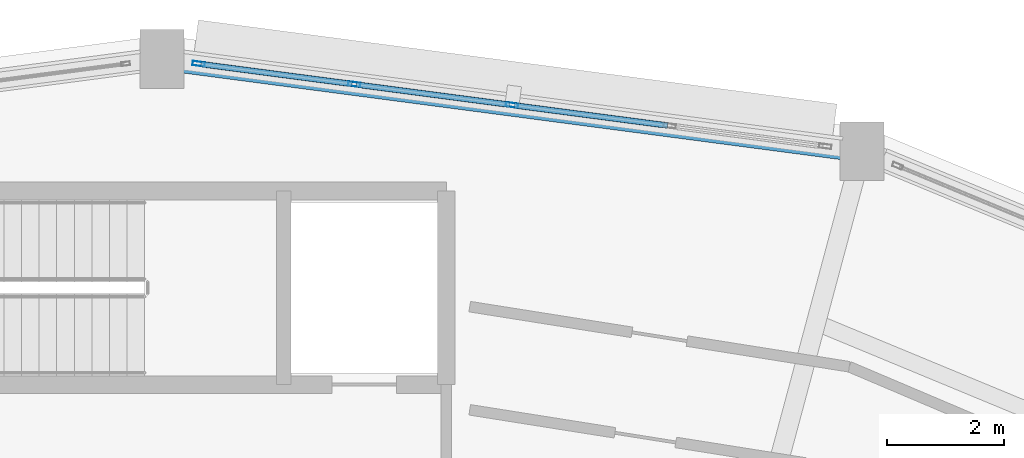
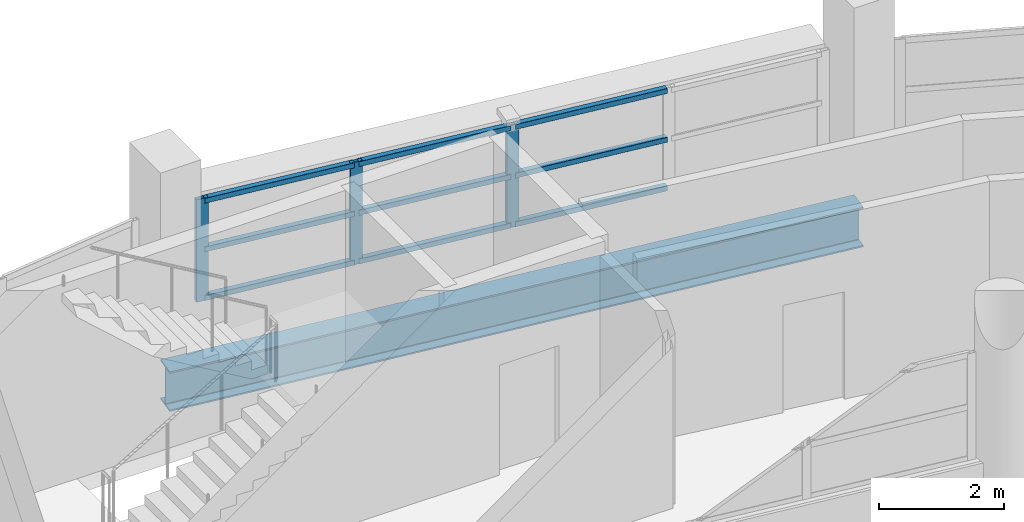
# One storey, part 53 of 88: 12 members, 1 beam, 1 element without a shape of its own.
"""IFC4 building model written with IfcOpenShell, lengths in metres."""

import ifcopenshell
import ifcopenshell.guid

model = None  # the IFC model being written
_history = None  # IfcOwnerHistory: only IFC2X3 demands one
_inside = {}  # id of a spatial element -> (the spatial element, [elements in it])
_under = {}  # id of a project, library or spatial element -> (it, [spatial elements below it])
_declared = {}  # id of a project -> (the project, [libraries it declares])
_typed = {}  # id of a type object -> (the type object, [elements of that type])
_made_of = {}  # id of a material, layer set ... -> (it, [elements and type objects made of it])


def new_model(schema):
    """Start an empty IFC model of exactly this schema.

    Asked for "IFC4X3", IfcOpenShell would pick the latest addendum, in which some entities
    have other attributes; the version numbers below select the first issue.
    IFC2X3 requires an IfcOwnerHistory on every rooted entity: one is made here for all.
    """
    global model, _history
    if schema == "IFC4X3":
        model = ifcopenshell.file(schema_version=(4, 3, 0, 0))
    else:
        model = ifcopenshell.file(schema=schema)
    _inside.clear()
    _under.clear()
    _declared.clear()
    _typed.clear()
    _made_of.clear()
    _history = None
    if model.schema == "IFC2X3":
        org = make("IfcOrganization", Name="unknown")
        user = make(
            "IfcPersonAndOrganization",
            ThePerson=make("IfcPerson", FamilyName="unknown"),
            TheOrganization=org,
        )
        app = make(
            "IfcApplication",
            ApplicationDeveloper=org,
            Version="unknown",
            ApplicationFullName="unknown",
            ApplicationIdentifier="unknown",
        )
        _history = make(
            "IfcOwnerHistory",
            OwningUser=user,
            OwningApplication=app,
            ChangeAction="ADDED",
            CreationDate=0,
        )
    return model


def make(cls, **values):
    """One entity of the class cls with the attributes given. An attribute that is None is left unset."""
    return model.create_entity(
        cls, **{name: value for name, value in values.items() if value is not None}
    )


def rooted(cls, **values):
    """An entity with a GlobalId (a new one), such as an element, a storey or a relation."""
    return make(cls, GlobalId=ifcopenshell.guid.new(), OwnerHistory=_history, **values)


def si_unit(unit_type, name, prefix=None):
    """IfcSIUnit, for example si_unit("LENGTHUNIT", "METRE", prefix="MILLI")."""
    return make("IfcSIUnit", UnitType=unit_type, Prefix=prefix, Name=name)


def assignment(units):
    """IfcUnitAssignment: the units of a project."""
    return None if units is None else make("IfcUnitAssignment", Units=units)


def point(xyz):
    """IfcCartesianPoint."""
    return None if xyz is None else make("IfcCartesianPoint", Coordinates=xyz)


def direction(xyz):
    """IfcDirection."""
    return None if xyz is None else make("IfcDirection", DirectionRatios=xyz)


def frame(location, z_axis=None, x_axis=None):
    """IfcAxis2Placement3D, a coordinate frame: its origin and axes. An axis left out is left unset."""
    return make(
        "IfcAxis2Placement3D",
        Location=point(location),
        Axis=direction(z_axis),
        RefDirection=direction(x_axis),
    )


def frame_2d(location, x_axis=None):
    """IfcAxis2Placement2D, a coordinate frame in the plane: its origin and x axis."""
    return make(
        "IfcAxis2Placement2D", Location=point(location), RefDirection=direction(x_axis)
    )


def origin():
    """The frame at (0, 0, 0) with its axes left unset."""
    return frame((0.0, 0.0, 0.0))


def origin_2d():
    """The frame at (0, 0) in the plane with its x axis left unset."""
    return frame_2d((0.0, 0.0))


def place(relative_to, where):
    """IfcLocalPlacement: puts the frame where relative to a parent placement (None: the world)."""
    return make(
        "IfcLocalPlacement", PlacementRelTo=relative_to, RelativePlacement=where
    )


def context(
    kind, dimensions, precision=None, world=None, true_north=None, identifier=None
):
    """IfcGeometricRepresentationContext, for example the 3D "Model" context."""
    return make(
        "IfcGeometricRepresentationContext",
        ContextIdentifier=identifier,
        ContextType=kind,
        CoordinateSpaceDimension=dimensions,
        Precision=precision,
        WorldCoordinateSystem=world,
        TrueNorth=true_north,
    )


def subcontext(parent, identifier, kind, view, scale=None):
    """IfcGeometricRepresentationSubContext, for example "Body" below "Model"."""
    return make(
        "IfcGeometricRepresentationSubContext",
        ContextIdentifier=identifier,
        ContextType=kind,
        ParentContext=parent,
        TargetScale=scale,
        TargetView=view,
    )


def project(units=None, contexts=None):
    """IfcProject with its units and contexts."""
    return rooted(
        "IfcProject",
        Name="project",
        RepresentationContexts=contexts,
        UnitsInContext=assignment(units),
    )


def spatial(cls, under=None, at=None, **own):
    """A site, building, storey or space (cls), placed at a placement, below another one or the project."""
    s = rooted(cls, ObjectPlacement=at, **own)
    if under is not None:
        _under.setdefault(under.id(), (under, []))[1].append(s)
    return s


def profile(cls, at=None, kind="AREA", **sizes):
    """A parametric profile (cls). Its sizes go by their IFC names, for example OverallWidth=200.0."""
    return make(cls, ProfileType=kind, Position=at, **sizes)


def hollow_rectangle(**sizes):
    """IfcRectangleHollowProfileDef."""
    return profile("IfcRectangleHollowProfileDef", **sizes)


def i_section(**sizes):
    """IfcIShapeProfileDef."""
    return profile("IfcIShapeProfileDef", **sizes)


def extrude(swept, where, along, depth):
    """IfcExtrudedAreaSolid: the profile swept, set in the frame where, extruded along a direction by depth."""
    return make(
        "IfcExtrudedAreaSolid",
        SweptArea=swept,
        Position=where,
        ExtrudedDirection=direction(along),
        Depth=depth,
    )


def shape(context_of_items, identifier, shape_type, items):
    """IfcShapeRepresentation: the items that make up one representation, for example the "Body"."""
    return make(
        "IfcShapeRepresentation",
        ContextOfItems=context_of_items,
        RepresentationIdentifier=identifier,
        RepresentationType=shape_type,
        Items=items,
    )


def material(Name=None, Category=None):
    """IfcMaterial."""
    return make("IfcMaterial", Name=Name, Category=Category)


def layer(
    of_material, thickness, ventilated=None, Name=None, Category=None, Priority=None
):
    """IfcMaterialLayer: one layer of a wall or slab, of a material (None: an air gap)."""
    return make(
        "IfcMaterialLayer",
        Material=of_material,
        LayerThickness=thickness,
        IsVentilated=ventilated,
        Name=Name,
        Category=Category,
        Priority=Priority,
    )


def layer_set(layers, Name=None):
    """IfcMaterialLayerSet."""
    return make("IfcMaterialLayerSet", MaterialLayers=layers, LayerSetName=Name)


def material_profile(
    of_material, cross_section, Name=None, Category=None, Priority=None
):
    """IfcMaterialProfile: a cross section and its material."""
    return make(
        "IfcMaterialProfile",
        Name=Name,
        Material=of_material,
        Profile=cross_section,
        Priority=Priority,
        Category=Category,
    )


def profile_set(profiles, Name=None, composite=None):
    """IfcMaterialProfileSet."""
    return make(
        "IfcMaterialProfileSet",
        Name=Name,
        MaterialProfiles=profiles,
        CompositeProfile=composite,
    )


def made_of(thing, what):
    """Note that an element or type object is made of a material, layer set ...; save() writes the relation."""
    if what is not None:
        _made_of.setdefault(what.id(), (what, []))[1].append(thing)
    return thing


def type_object(cls, material=None, **own):
    """A type object (cls), such as IfcWallType, which elements share."""
    return made_of(rooted(cls, **own), material)


def element(
    cls,
    number,
    at=None,
    inside=None,
    cuts=None,
    type_object=None,
    material=None,
    context=None,
    identifier="Body",
    shape_type=None,
    held_by="IfcProductDefinitionShape",
    body=None,
    shapes=None,
    **own,
):
    """One element of the class cls, such as IfcWall. Its Tag is "e" and its number.

    at: its placement. inside: the storey or other place that contains it. cuts: it is an
    opening in that element (IfcRelVoidsElement). A single representation is given by context,
    identifier, shape_type and body (its items); several are given by shapes. held_by: the class
    of the entity that holds the representations. save() writes the other relations.
    """
    e = rooted(cls, Tag="e%d" % number, ObjectPlacement=at, **own)
    if body is not None:
        shapes = [shape(context, identifier, shape_type, body)]
    if shapes is not None:
        e.Representation = make(held_by, Representations=shapes)
    if inside is not None:
        _inside.setdefault(inside.id(), (inside, []))[1].append(e)
    if cuts is not None:
        rooted(
            "IfcRelVoidsElement", RelatingBuildingElement=cuts, RelatedOpeningElement=e
        )
    if type_object is not None:
        _typed.setdefault(type_object.id(), (type_object, []))[1].append(e)
    return made_of(e, material)


def aggregate(whole, parts):
    """IfcRelAggregates: a whole, such as a stair, and the parts it consists of."""
    return rooted("IfcRelAggregates", RelatingObject=whole, RelatedObjects=parts)


def save(model, path):
    """Write the relations noted so far, then the file.

    IfcRelAggregates (storeys below a building ...), IfcRelContainedInSpatialStructure (elements
    in a storey), IfcRelDefinesByType, IfcRelAssociatesMaterial and IfcRelDeclares: one each for
    every whole, place, type object, material and project.
    """
    for whole, parts in _under.values():
        aggregate(whole, parts)
    for where, things in _inside.values():
        rooted(
            "IfcRelContainedInSpatialStructure",
            RelatedElements=things,
            RelatingStructure=where,
        )
    for kind, things in _typed.values():
        rooted("IfcRelDefinesByType", RelatedObjects=things, RelatingType=kind)
    for what, things in _made_of.values():
        rooted("IfcRelAssociatesMaterial", RelatedObjects=things, RelatingMaterial=what)
    for by, libraries in _declared.values():
        rooted("IfcRelDeclares", RelatingContext=by, RelatedDefinitions=libraries)
    model.write(path)


model = new_model("IFC4")

# Units and contexts
model_context = context("Model", 3, precision=1e-05, world=origin(), true_north=direction((0.0, 1.0)))
body_context = subcontext(model_context, "Body", "Model", "MODEL_VIEW")
ifc_project = project(units=[si_unit("LENGTHUNIT", "METRE"), si_unit("AREAUNIT", "SQUARE_METRE"), si_unit("VOLUMEUNIT", "CUBIC_METRE"), si_unit("PLANEANGLEUNIT", "RADIAN"), si_unit("MASSUNIT", "GRAM", prefix="KILO")], contexts=[model_context])

# Site, building, storey
site_placement = place(None, origin())
site = spatial("IfcSite", under=ifc_project, at=site_placement, CompositionType="ELEMENT")
building_placement = place(site_placement, origin())
building = spatial("IfcBuilding", under=site, at=building_placement, Name="Vespera Passage Community Centre", CompositionType="ELEMENT")
storey_placement = place(building_placement, frame((0.0, 0.0, 16.5)))
storey = spatial("IfcBuildingStorey", under=building, at=storey_placement, Name="L04", CompositionType="ELEMENT", Elevation=16.5)

# Beam
ifc_material_1 = material(Name="Steel ASTM A992 Grade 50", Category="steel")
ifc_material_profile_1 = material_profile(ifc_material_1, i_section(OverallWidth=0.382080078125, OverallDepth=0.779296875, WebThickness=0.01806640625, FlangeThickness=0.030029296875, FilletRadius=0.0166015625, at=origin_2d()), Name="W30X191")
ifc_profile_set_1 = profile_set([ifc_material_profile_1], Name="Steel ASTM A992 Grade 50")
beam_type = type_object("IfcBeamType", Name="BM-SP-W30X191E", PredefinedType="SPANDREL", material=ifc_profile_set_1)
beam_placement = place(storey_placement, frame((89.931640625, 110.029296875, -0.689697265625), z_axis=(-0.991445178667, 0.130523782115, 0.0), x_axis=(-0.130523782115, -0.991445178667, 0.0)))
element("IfcBeam", 1, at=beam_placement, inside=storey, type_object=beam_type, Name="V4 L04 Outer Spandrel 5", PredefinedType="SPANDREL", context=body_context, shape_type="SweptSolid", body=[
    extrude(i_section(OverallWidth=0.382080078125, OverallDepth=0.779296875, WebThickness=0.01806640625, FlangeThickness=0.030029296875, FilletRadius=0.0166015625, at=origin_2d()), origin(), (0.0, 0.0, 1.0), 12.03466796875),
])

# Curtain wall, members
ifc_material_2 = material(Name="Anodized aluminium 6063-T6", Category="aluminium")
ifc_layer = layer(ifc_material_2, 0.159912109375)
ifc_layer_set = layer_set([ifc_layer], Name="Anodized aluminium 6063-T6")
curtain_wall_type = type_object("IfcCurtainWallType", Name="CW-57E", PredefinedType="NOTDEFINED", material=ifc_layer_set)
curtain_wall_placement = place(storey_placement, origin())
curtain_wall = element("IfcCurtainWall", 2, at=curtain_wall_placement, inside=storey, type_object=curtain_wall_type, Name="V4 L04 Outer Ribbon Curtain Wall 5", PredefinedType="NOTDEFINED")
ifc_material_3 = material(Name="Anodized aluminium 6063-T6", Category="aluminium")
ifc_material_profile_2 = material_profile(ifc_material_3, hollow_rectangle(XDim=0.074951171875, YDim=0.2099609375, WallThickness=0.0048828125, InnerFilletRadius=0.00244140625, OuterFilletRadius=0.0048828125, at=origin_2d()), Name="ALU210X75X5")
ifc_profile_set_2 = profile_set([ifc_material_profile_2], Name="Anodized aluminium 6063-T6")
member_type_1 = type_object("IfcMemberType", Name="MB-CWM-210E", PredefinedType="MULLION", material=ifc_profile_set_2)
member_1_placement = place(storey_placement, frame((78.62548828125, 111.517822265625, 0.820068359375), z_axis=(0.0, 0.0, 1.0), x_axis=(0.130530818696, 0.991444252276, 0.0)))
member_1 = element("IfcMember", 3, at=member_1_placement, type_object=member_type_1, Name="CW-57E mullion 1", PredefinedType="MULLION", context=body_context, shape_type="SweptSolid", body=[
    extrude(hollow_rectangle(XDim=0.074951171875, YDim=0.2099609375, WallThickness=0.0048828125, InnerFilletRadius=0.00244140625, OuterFilletRadius=0.0048828125, at=origin_2d()), origin(), (0.0, 0.0, 1.0), 2.005615234375),
])
member_2_placement = place(storey_placement, frame((81.277099609375, 111.168701171875, 0.820068359375), z_axis=(0.0, 0.0, 1.0), x_axis=(0.130530818696, 0.991444252276, 0.0)))
member_2 = element("IfcMember", 4, at=member_2_placement, type_object=member_type_1, Name="CW-57E mullion 2", PredefinedType="MULLION", context=body_context, shape_type="SweptSolid", body=[
    extrude(hollow_rectangle(XDim=0.074951171875, YDim=0.2099609375, WallThickness=0.0048828125, InnerFilletRadius=0.00244140625, OuterFilletRadius=0.0048828125, at=origin_2d()), origin(), (0.0, 0.0, 1.0), 2.005615234375),
])
member_3_placement = place(storey_placement, frame((83.9658203125, 110.814697265625, 0.820068359375), z_axis=(0.0, 0.0, 1.0), x_axis=(0.130530818696, 0.991444252276, 0.0)))
member_3 = element("IfcMember", 5, at=member_3_placement, type_object=member_type_1, Name="CW-57E mullion 3", PredefinedType="MULLION", context=body_context, shape_type="SweptSolid", body=[
    extrude(hollow_rectangle(XDim=0.074951171875, YDim=0.2099609375, WallThickness=0.0048828125, InnerFilletRadius=0.00244140625, OuterFilletRadius=0.0048828125, at=origin_2d()), origin(), (0.0, 0.0, 1.0), 2.005615234375),
])
ifc_material_4 = material(Name="Anodized aluminium 6063-T6", Category="aluminium")
ifc_material_profile_3 = material_profile(ifc_material_4, hollow_rectangle(XDim=0.10009765625, YDim=0.10009765625, WallThickness=0.00390625, InnerFilletRadius=0.001953125, OuterFilletRadius=0.00390625, at=origin_2d()), Name="ALU100X100X4")
ifc_profile_set_3 = profile_set([ifc_material_profile_3], Name="Anodized aluminium 6063-T6")
member_type_2 = type_object("IfcMemberType", Name="MB-CWT-100E", PredefinedType="USERDEFINED", material=ifc_profile_set_3)
member_4_placement = place(storey_placement, frame((78.66259765625, 111.5126953125, 0.8701171875), z_axis=(0.991453656162, -0.13045937177, 0.0), x_axis=(0.13045937177, 0.991453656162, 0.0)))
member_4 = element("IfcMember", 6, at=member_4_placement, type_object=member_type_2, Name="CW-57E transom 1.1", ObjectType="TRANSOM", PredefinedType="USERDEFINED", context=body_context, shape_type="SweptSolid", body=[
    extrude(hollow_rectangle(XDim=0.10009765625, YDim=0.10009765625, WallThickness=0.00390625, InnerFilletRadius=0.001953125, OuterFilletRadius=0.00390625, at=origin_2d()), origin(), (0.0, 0.0, 1.0), 2.599365234375),
])
member_5_placement = place(storey_placement, frame((78.66259765625, 111.5126953125, 1.82275390625), z_axis=(0.991453656162, -0.13045937177, 0.0), x_axis=(0.13045937177, 0.991453656162, 0.0)))
member_5 = element("IfcMember", 7, at=member_5_placement, type_object=member_type_2, Name="CW-57E transom 1.2", ObjectType="TRANSOM", PredefinedType="USERDEFINED", context=body_context, shape_type="SweptSolid", body=[
    extrude(hollow_rectangle(XDim=0.10009765625, YDim=0.10009765625, WallThickness=0.00390625, InnerFilletRadius=0.001953125, OuterFilletRadius=0.00390625, at=origin_2d()), origin(), (0.0, 0.0, 1.0), 2.599365234375),
])
member_6_placement = place(storey_placement, frame((78.66259765625, 111.5126953125, 2.775634765625), z_axis=(0.991453656162, -0.13045937177, 0.0), x_axis=(0.13045937177, 0.991453656162, 0.0)))
member_6 = element("IfcMember", 8, at=member_6_placement, type_object=member_type_2, Name="CW-57E transom 1.3", ObjectType="TRANSOM", PredefinedType="USERDEFINED", context=body_context, shape_type="SweptSolid", body=[
    extrude(hollow_rectangle(XDim=0.10009765625, YDim=0.10009765625, WallThickness=0.00390625, InnerFilletRadius=0.001953125, OuterFilletRadius=0.00390625, at=origin_2d()), origin(), (0.0, 0.0, 1.0), 2.599365234375),
])
member_7_placement = place(storey_placement, frame((81.314208984375, 111.163818359375, 0.8701171875), z_axis=(0.991443263023, -0.130538332324, 0.0), x_axis=(0.130538332324, 0.991443263023, 0.0)))
member_7 = element("IfcMember", 9, at=member_7_placement, type_object=member_type_2, Name="CW-57E transom 2.1", ObjectType="TRANSOM", PredefinedType="USERDEFINED", context=body_context, shape_type="SweptSolid", body=[
    extrude(hollow_rectangle(XDim=0.10009765625, YDim=0.10009765625, WallThickness=0.00390625, InnerFilletRadius=0.001953125, OuterFilletRadius=0.00390625, at=origin_2d()), origin(), (0.0, 0.0, 1.0), 2.636962890625),
])
member_8_placement = place(storey_placement, frame((81.314208984375, 111.163818359375, 1.82275390625), z_axis=(0.991443263023, -0.130538332324, 0.0), x_axis=(0.130538332324, 0.991443263023, 0.0)))
member_8 = element("IfcMember", 10, at=member_8_placement, type_object=member_type_2, Name="CW-57E transom 2.2", ObjectType="TRANSOM", PredefinedType="USERDEFINED", context=body_context, shape_type="SweptSolid", body=[
    extrude(hollow_rectangle(XDim=0.10009765625, YDim=0.10009765625, WallThickness=0.00390625, InnerFilletRadius=0.001953125, OuterFilletRadius=0.00390625, at=origin_2d()), origin(), (0.0, 0.0, 1.0), 2.636962890625),
])
member_9_placement = place(storey_placement, frame((81.314208984375, 111.163818359375, 2.775634765625), z_axis=(0.991443263023, -0.130538332324, 0.0), x_axis=(0.130538332324, 0.991443263023, 0.0)))
member_9 = element("IfcMember", 11, at=member_9_placement, type_object=member_type_2, Name="CW-57E transom 2.3", ObjectType="TRANSOM", PredefinedType="USERDEFINED", context=body_context, shape_type="SweptSolid", body=[
    extrude(hollow_rectangle(XDim=0.10009765625, YDim=0.10009765625, WallThickness=0.00390625, InnerFilletRadius=0.001953125, OuterFilletRadius=0.00390625, at=origin_2d()), origin(), (0.0, 0.0, 1.0), 2.636962890625),
])
member_10_placement = place(storey_placement, frame((84.0029296875, 110.809814453125, 0.8701171875), z_axis=(0.991443263023, -0.130538332324, 0.0), x_axis=(0.130538332324, 0.991443263023, 0.0)))
member_10 = element("IfcMember", 12, at=member_10_placement, type_object=member_type_2, Name="CW-57E transom 3.1", ObjectType="TRANSOM", PredefinedType="USERDEFINED", context=body_context, shape_type="SweptSolid", body=[
    extrude(hollow_rectangle(XDim=0.10009765625, YDim=0.10009765625, WallThickness=0.00390625, InnerFilletRadius=0.001953125, OuterFilletRadius=0.00390625, at=origin_2d()), origin(), (0.0, 0.0, 1.0), 2.636962890625),
])
member_11_placement = place(storey_placement, frame((84.0029296875, 110.809814453125, 1.82275390625), z_axis=(0.991443263023, -0.130538332324, 0.0), x_axis=(0.130538332324, 0.991443263023, 0.0)))
member_11 = element("IfcMember", 13, at=member_11_placement, type_object=member_type_2, Name="CW-57E transom 3.2", ObjectType="TRANSOM", PredefinedType="USERDEFINED", context=body_context, shape_type="SweptSolid", body=[
    extrude(hollow_rectangle(XDim=0.10009765625, YDim=0.10009765625, WallThickness=0.00390625, InnerFilletRadius=0.001953125, OuterFilletRadius=0.00390625, at=origin_2d()), origin(), (0.0, 0.0, 1.0), 2.636962890625),
])
member_12_placement = place(storey_placement, frame((84.0029296875, 110.809814453125, 2.775634765625), z_axis=(0.991443263023, -0.130538332324, 0.0), x_axis=(0.130538332324, 0.991443263023, 0.0)))
member_12 = element("IfcMember", 14, at=member_12_placement, type_object=member_type_2, Name="CW-57E transom 3.3", ObjectType="TRANSOM", PredefinedType="USERDEFINED", context=body_context, shape_type="SweptSolid", body=[
    extrude(hollow_rectangle(XDim=0.10009765625, YDim=0.10009765625, WallThickness=0.00390625, InnerFilletRadius=0.001953125, OuterFilletRadius=0.00390625, at=origin_2d()), origin(), (0.0, 0.0, 1.0), 2.636962890625),
])
aggregate(curtain_wall, [member_1, member_2, member_3, member_4, member_5, member_6, member_7, member_8, member_9, member_10, member_11, member_12])

save(model, "model.ifc")
